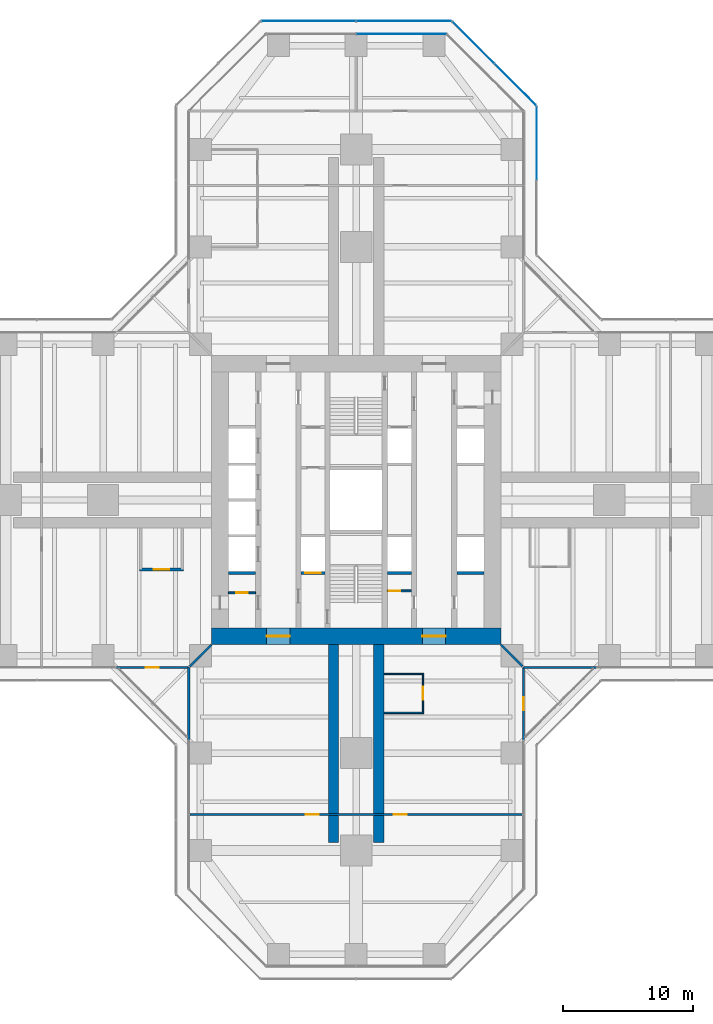
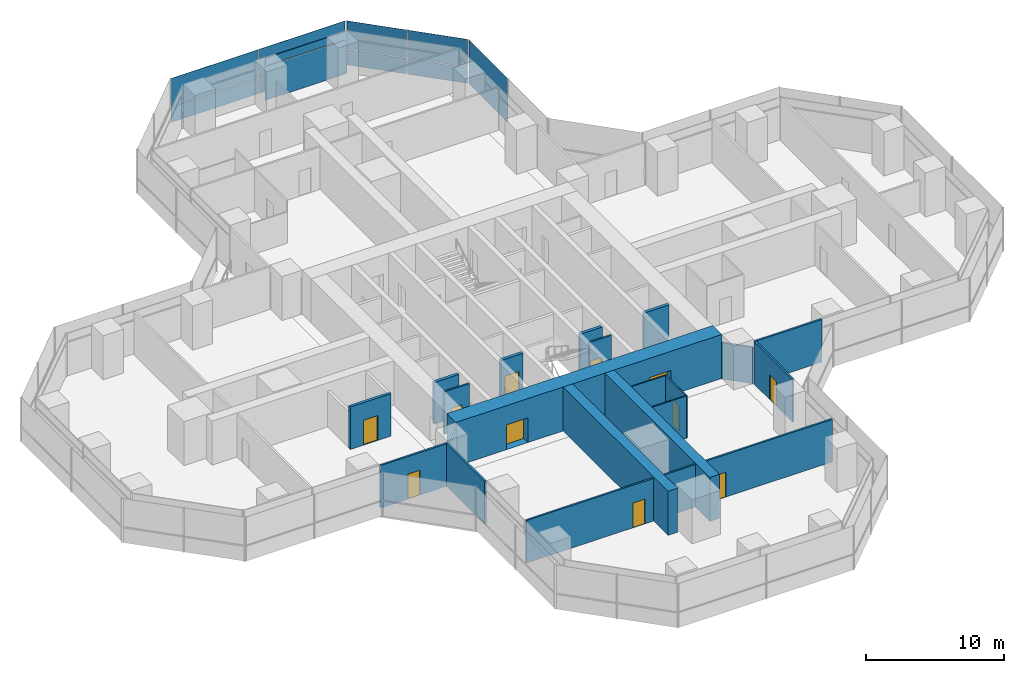
# One storey, part 17 of 22: 20 walls, 12 plates, 11 doors, 11 openings, 4 elements without a shape of their own.
"""IFC4 building model written with IfcOpenShell, lengths in metres."""

from ifc_helpers import new_model, si_unit, direction, frame, frame_2d, origin, origin_2d, place, context, subcontext, project, spatial, rectangle, extrude, material, layer, layer_set, type_object, element, fill, aggregate, save


model = new_model("IFC4")

# Units and contexts
model_context = context("Model", 3, precision=1e-05, world=origin(), true_north=direction((0.0, 1.0)))
body_context = subcontext(model_context, "Body", "Model", "MODEL_VIEW")
ifc_project = project(units=[si_unit("LENGTHUNIT", "METRE"), si_unit("AREAUNIT", "SQUARE_METRE"), si_unit("VOLUMEUNIT", "CUBIC_METRE"), si_unit("PLANEANGLEUNIT", "RADIAN"), si_unit("MASSUNIT", "GRAM", prefix="KILO")], contexts=[model_context])

# Site, building, storey
site_placement = place(None, origin())
site = spatial("IfcSite", under=ifc_project, at=site_placement, CompositionType="ELEMENT")
building_placement = place(site_placement, origin())
building = spatial("IfcBuilding", under=site, at=building_placement, Name="Mizan Broadcast Tower", CompositionType="ELEMENT")
storey_placement = place(building_placement, frame((0.0, 0.0, 105.89990234375)))
storey = spatial("IfcBuildingStorey", under=building, at=storey_placement, Name="L23", CompositionType="ELEMENT", Elevation=105.89990234375)

# Curtain wall, plates
ifc_material_1 = material(Name="Aluminium framed glazing", Category="aluminium")
curtain_wall_type_1 = type_object("IfcCurtainWallType", Name="INNER SKIN LOW ZONE", PredefinedType="USERDEFINED", material=ifc_material_1)
curtain_wall_1_placement = place(storey_placement, origin())
curtain_wall_1 = element("IfcCurtainWall", 1, at=curtain_wall_1_placement, inside=storey, type_object=curtain_wall_type_1, Name="Inner skin low zone L23 N end", ObjectType="INNER SKIN LOW ZONE", PredefinedType="USERDEFINED")
ifc_material_2 = material(Name="Double glazing, clear low-e", Category="glass")
ifc_layer_1 = layer(ifc_material_2, 0.028076171875)
ifc_layer_set_1 = layer_set([ifc_layer_1], Name="Double glazing, clear low-e")
plate_type_1 = type_object("IfcPlateType", Name="INNER SKIN GLAZING UNIT", PredefinedType="CURTAIN_PANEL", material=ifc_layer_set_1)
plate_1_placement = place(storey_placement, frame((3.46435546875, 35.89990234375, 0.0), z_axis=(0.0, 0.0, 1.0), x_axis=(-1.0, 0.0, 0.0)))
plate_1 = element("IfcPlate", 2, at=plate_1_placement, type_object=plate_type_1, Name="Inner skin low zone L23 N end panel 1.1", PredefinedType="CURTAIN_PANEL", context=body_context, shape_type="SweptSolid", body=[
    extrude(rectangle(XDim=6.86865234375, YDim=0.028076171875, at=origin_2d()), origin(), (0.0, 0.0, 1.0), 3.0),
])
ifc_material_3 = material(Name="Insulated aluminium spandrel panel, pale anodised", Category="aluminium")
ifc_layer_2 = layer(ifc_material_3, 0.050048828125)
ifc_layer_set_2 = layer_set([ifc_layer_2], Name="Insulated aluminium spandrel panel, pale anodised")
plate_type_2 = type_object("IfcPlateType", Name="INNER SKIN SPANDREL PANEL", PredefinedType="CURTAIN_PANEL", material=ifc_layer_set_2)
plate_2_placement = place(storey_placement, frame((3.46435546875, 35.89990234375, 3.06005859375), z_axis=(0.0, 0.0, 1.0), x_axis=(-1.0, 0.0, 0.0)))
plate_2 = element("IfcPlate", 3, at=plate_2_placement, type_object=plate_type_2, Name="Inner skin low zone L23 N end panel 1.2", PredefinedType="CURTAIN_PANEL", context=body_context, shape_type="SweptSolid", body=[
    extrude(rectangle(XDim=6.86865234375, YDim=0.050048828125, at=origin_2d()), origin(), (0.0, 0.0, 1.0), 0.7099609375),
])
aggregate(curtain_wall_1, [plate_1, plate_2])

ifc_material_4 = material(Name="Aluminium framed glazing", Category="aluminium")
curtain_wall_type_2 = type_object("IfcCurtainWallType", Name="OUTER SKIN", PredefinedType="USERDEFINED", material=ifc_material_4)
curtain_wall_2_placement = place(storey_placement, origin())
curtain_wall_2 = element("IfcCurtainWall", 4, at=curtain_wall_2_placement, inside=storey, type_object=curtain_wall_type_2, Name="Outer skin L23 N chamfer", ObjectType="OUTER SKIN", PredefinedType="USERDEFINED")
ifc_material_5 = material(Name="Laminated clear glass", Category="glass")
ifc_layer_3 = layer(ifc_material_5, 0.02001953125)
ifc_layer_set_3 = layer_set([ifc_layer_3], Name="Laminated clear glass")
plate_type_3 = type_object("IfcPlateType", Name="OUTER SKIN CLEAR GLASS", PredefinedType="CURTAIN_PANEL", material=ifc_layer_set_3)
plate_3_placement = place(storey_placement, frame((12.254150390625, 32.018798828125, 0.0), z_axis=(0.0, 0.0, 1.0), x_axis=(-0.707106781187, 0.707106781187, 0.0)))
plate_3 = element("IfcPlate", 5, at=plate_3_placement, type_object=plate_type_3, Name="Outer skin L23 N chamfer panel 1.1", PredefinedType="CURTAIN_PANEL", context=body_context, shape_type="SweptSolid", body=[
    extrude(rectangle(XDim=4.495361328125, YDim=0.02001953125, at=origin_2d()), origin(), (0.0, 0.0, 1.0), 1.3701171875),
])
plate_4_placement = place(storey_placement, frame((12.254150390625, 32.018798828125, 1.43017578125), z_axis=(0.0, 0.0, 1.0), x_axis=(-0.707106781187, 0.707106781187, 0.0)))
plate_4 = element("IfcPlate", 6, at=plate_4_placement, type_object=plate_type_3, Name="Outer skin L23 N chamfer panel 1.2", PredefinedType="CURTAIN_PANEL", context=body_context, shape_type="SweptSolid", body=[
    extrude(rectangle(XDim=4.495361328125, YDim=0.02001953125, at=origin_2d()), origin(), (0.0, 0.0, 1.0), 2.469970703125),
])

curtain_wall_3_placement = place(storey_placement, origin())
curtain_wall_3 = element("IfcCurtainWall", 7, at=curtain_wall_3_placement, inside=storey, type_object=curtain_wall_type_2, Name="Outer skin L23 N end", ObjectType="OUTER SKIN", PredefinedType="USERDEFINED")
plate_5_placement = place(storey_placement, frame((3.66650390625, 36.89990234375, 0.0), z_axis=(0.0, 0.0, 1.0), x_axis=(-1.0, 0.0, 0.0)))
plate_5 = element("IfcPlate", 8, at=plate_5_placement, type_object=plate_type_3, Name="Outer skin L23 N end panel 1.1", PredefinedType="CURTAIN_PANEL", context=body_context, shape_type="SweptSolid", body=[
    extrude(rectangle(XDim=7.252685546875, YDim=0.02001953125, at=origin_2d()), origin(), (0.0, 0.0, 1.0), 1.3701171875),
])
plate_6_placement = place(storey_placement, frame((3.66650390625, 36.89990234375, 1.43017578125), z_axis=(0.0, 0.0, 1.0), x_axis=(-1.0, 0.0, 0.0)))
plate_6 = element("IfcPlate", 9, at=plate_6_placement, type_object=plate_type_3, Name="Outer skin L23 N end panel 1.2", PredefinedType="CURTAIN_PANEL", context=body_context, shape_type="SweptSolid", body=[
    extrude(rectangle(XDim=7.252685546875, YDim=0.02001953125, at=origin_2d()), origin(), (0.0, 0.0, 1.0), 2.469970703125),
])
plate_7_placement = place(storey_placement, frame((-3.66650390625, 36.89990234375, 0.0), z_axis=(0.0, 0.0, 1.0), x_axis=(-1.0, 0.0, 0.0)))
plate_7 = element("IfcPlate", 10, at=plate_7_placement, type_object=plate_type_3, Name="Outer skin L23 N end panel 2.1", PredefinedType="CURTAIN_PANEL", context=body_context, shape_type="SweptSolid", body=[
    extrude(rectangle(XDim=7.252685546875, YDim=0.02001953125, at=origin_2d()), origin(), (0.0, 0.0, 1.0), 1.3701171875),
])
plate_8_placement = place(storey_placement, frame((-3.66650390625, 36.89990234375, 1.43017578125), z_axis=(0.0, 0.0, 1.0), x_axis=(-1.0, 0.0, 0.0)))
plate_8 = element("IfcPlate", 11, at=plate_8_placement, type_object=plate_type_3, Name="Outer skin L23 N end panel 2.2", PredefinedType="CURTAIN_PANEL", context=body_context, shape_type="SweptSolid", body=[
    extrude(rectangle(XDim=7.252685546875, YDim=0.02001953125, at=origin_2d()), origin(), (0.0, 0.0, 1.0), 2.469970703125),
])
aggregate(curtain_wall_3, [plate_5, plate_6, plate_7, plate_8])

curtain_wall_4_placement = place(storey_placement, origin())
curtain_wall_4 = element("IfcCurtainWall", 12, at=curtain_wall_4_placement, inside=storey, type_object=curtain_wall_type_2, Name="Outer skin L23 N side", ObjectType="OUTER SKIN", PredefinedType="USERDEFINED")
ifc_material_6 = material(Name="Perforated aluminium, pale anodised", Category="aluminium")
ifc_layer_4 = layer(ifc_material_6, 0.011962890625)
ifc_layer_set_4 = layer_set([ifc_layer_4], Name="Perforated aluminium, pale anodised")
plate_type_4 = type_object("IfcPlateType", Name="OUTER SKIN PERFORATED SCREEN", PredefinedType="USERDEFINED", material=ifc_layer_set_4)
plate_9_placement = place(storey_placement, frame((13.89990234375, 27.477783203125, 0.0), z_axis=(0.0, 0.0, 1.0), x_axis=(0.0, 1.0, 0.0)))
plate_9 = element("IfcPlate", 13, at=plate_9_placement, type_object=plate_type_4, Name="Outer skin L23 N side panel 2.1", ObjectType="SCREEN", PredefinedType="USERDEFINED", context=body_context, shape_type="SweptSolid", body=[
    extrude(rectangle(XDim=5.6298828125, YDim=0.011962890625, at=origin_2d()), origin(), (0.0, 0.0, 1.0), 1.3701171875),
])
plate_10_placement = place(storey_placement, frame((13.89990234375, 27.477783203125, 1.43017578125), z_axis=(0.0, 0.0, 1.0), x_axis=(0.0, 1.0, 0.0)))
plate_10 = element("IfcPlate", 14, at=plate_10_placement, type_object=plate_type_4, Name="Outer skin L23 N side panel 2.2", ObjectType="SCREEN", PredefinedType="USERDEFINED", context=body_context, shape_type="SweptSolid", body=[
    extrude(rectangle(XDim=5.6298828125, YDim=0.011962890625, at=origin_2d()), origin(), (0.0, 0.0, 1.0), 2.469970703125),
])
aggregate(curtain_wall_4, [plate_9, plate_10])

# Plate
plate_11_placement = place(storey_placement, frame((9.018798828125, 35.254150390625, 0.0), z_axis=(0.0, 0.0, 1.0), x_axis=(-0.707106781187, 0.707106781187, 0.0)))
plate_11 = element("IfcPlate", 15, at=plate_11_placement, type_object=plate_type_4, Name="Outer skin L23 N chamfer panel 2.1", ObjectType="SCREEN", PredefinedType="USERDEFINED", context=body_context, shape_type="SweptSolid", body=[
    extrude(rectangle(XDim=4.495361328125, YDim=0.011962890625, at=origin_2d()), origin(), (0.0, 0.0, 1.0), 1.3701171875),
])

plate_12_placement = place(storey_placement, frame((9.018798828125, 35.254150390625, 1.43017578125), z_axis=(0.0, 0.0, 1.0), x_axis=(-0.707106781187, 0.707106781187, 0.0)))
plate_12 = element("IfcPlate", 16, at=plate_12_placement, type_object=plate_type_4, Name="Outer skin L23 N chamfer panel 2.2", ObjectType="SCREEN", PredefinedType="USERDEFINED", context=body_context, shape_type="SweptSolid", body=[
    extrude(rectangle(XDim=4.495361328125, YDim=0.011962890625, at=origin_2d()), origin(), (0.0, 0.0, 1.0), 2.469970703125),
])

aggregate(curtain_wall_2, [plate_3, plate_4, plate_11, plate_12])

# Wall, opening, door
ifc_material_7 = material(Name="Concrete blockwork", Category="masonry")
ifc_layer_5 = layer(ifc_material_7, 0.14990234375)
ifc_layer_set_5 = layer_set([ifc_layer_5], Name="Concrete blockwork")
wall_type_1 = type_object("IfcWallType", Name="CORE PARTITION 150", PredefinedType="SOLIDWALL", material=ifc_layer_set_5)
wall_1_placement = place(storey_placement, frame((2.39990234375, -7.0, 0.0), z_axis=(0.0, 0.0, 1.0), x_axis=(1.0, 0.0, 0.0)))
wall_1 = element("IfcWall", 17, at=wall_1_placement, inside=storey, type_object=wall_type_1, Name="Core partition CORE/XPC", PredefinedType="SOLIDWALL", context=body_context, shape_type="SweptSolid", body=[
    extrude(rectangle(XDim=1.85009765625, YDim=0.14990234375, at=frame_2d((0.925048828125, 0.0))), origin(), (0.0, 0.0, 1.0), 3.77001953125),
])
opening_1_placement = place(wall_1_placement, frame((0.10009765625, 0.0, 0.0)))
opening_1 = element("IfcOpeningElement", 18, at=opening_1_placement, cuts=wall_1, Name="Opening D09F", PredefinedType="OPENING", context=body_context, shape_type="SweptSolid", body=[
    extrude(rectangle(XDim=0.89990234375, YDim=2.10009765625, at=frame_2d((0.449951171875, 1.050048828125))), frame((0.0, 0.0849609375, 0.0), z_axis=(0.0, -1.0, 0.0), x_axis=(1.0, 0.0, 0.0)), (0.0, 0.0, 1.0), 0.169921875),
])
ifc_material_8 = material(Name="Steel door leaf in steel frame", Category="steel")
door_type_1 = type_object("IfcDoorType", Name="CORE ROOM DOOR 900 FD90", OperationType="SINGLE_SWING_LEFT", PredefinedType="DOOR", material=ifc_material_8)
door_1_placement = place(opening_1_placement, origin())
door_1 = element("IfcDoor", 19, at=door_1_placement, inside=storey, type_object=door_type_1, Name="Cleaning materials store door", OperationType="SINGLE_SWING_LEFT", OverallHeight=2.10009765625, OverallWidth=0.89990234375, PredefinedType="DOOR", context=body_context, shape_type="SweptSolid", body=[
    extrude(rectangle(XDim=0.89990234375, YDim=2.10009765625, at=frame_2d((0.449951171875, 1.050048828125))), frame((0.0, 0.02490234375, 0.0), z_axis=(0.0, -1.0, 0.0), x_axis=(1.0, 0.0, 0.0)), (0.0, 0.0, 1.0), 0.050048828125),
])
fill(opening_1, door_1)

wall_2_placement = place(storey_placement, frame((-9.85009765625, -7.14990234375, 0.0), z_axis=(0.0, 0.0, 1.0), x_axis=(1.0, 0.0, 0.0)))
wall_2 = element("IfcWall", 20, at=wall_2_placement, inside=storey, type_object=wall_type_1, Name="Core partition CORE/XPW", PredefinedType="SOLIDWALL", context=body_context, shape_type="SweptSolid", body=[
    extrude(rectangle(XDim=2.10009765625, YDim=0.14990234375, at=frame_2d((1.050048828125, 0.0))), origin(), (0.0, 0.0, 1.0), 3.77001953125),
])
opening_2_placement = place(wall_2_placement, frame((0.60009765625, 0.0, 0.0)))
opening_2 = element("IfcOpeningElement", 21, at=opening_2_placement, cuts=wall_2, Name="Opening D09F", PredefinedType="OPENING", context=body_context, shape_type="SweptSolid", body=[
    extrude(rectangle(XDim=0.89990234375, YDim=2.10009765625, at=frame_2d((0.449951171875, 1.050048828125))), frame((0.0, 0.0849609375, 0.0), z_axis=(0.0, -1.0, 0.0), x_axis=(1.0, 0.0, 0.0)), (0.0, 0.0, 1.0), 0.169921875),
])
door_2_placement = place(opening_2_placement, origin())
door_2 = element("IfcDoor", 22, at=door_2_placement, inside=storey, type_object=door_type_1, Name="Fire hose reel cupboard door", OperationType="SINGLE_SWING_RIGHT", OverallHeight=2.10009765625, OverallWidth=0.89990234375, PredefinedType="DOOR", context=body_context, shape_type="SweptSolid", body=[
    extrude(rectangle(XDim=0.89990234375, YDim=2.10009765625, at=frame_2d((0.449951171875, 1.050048828125))), frame((0.0, 0.02490234375, 0.0), z_axis=(0.0, -1.0, 0.0), x_axis=(1.0, 0.0, 0.0)), (0.0, 0.0, 1.0), 0.050048828125),
])
fill(opening_2, door_2)

# Wall, openings, doors
ifc_material_9 = material(Name="Concrete C70/85", Category="concrete")
ifc_layer_6 = layer(ifc_material_9, 1.300048828125)
ifc_layer_set_6 = layer_set([ifc_layer_6], Name="Concrete C70/85")
wall_type_2 = type_object("IfcWallType", Name="CORE WALL 1300", PredefinedType="SHEAR", material=ifc_layer_set_6)
wall_3_placement = place(storey_placement, frame((11.14990234375, -10.5, 0.0), z_axis=(0.0, 0.0, 1.0), x_axis=(-1.0, 0.0, 0.0)))
wall_3 = element("IfcWall", 23, at=wall_3_placement, inside=storey, type_object=wall_type_2, Name="Core wall S L23", PredefinedType="SHEAR", context=body_context, shape_type="SweptSolid", body=[
    extrude(rectangle(XDim=22.2998046875, YDim=1.300048828125, at=frame_2d((11.14990234375, 0.0))), origin(), (0.0, 0.0, 1.0), 3.900146484375),
])
opening_3_placement = place(wall_3_placement, frame((16.25, 0.0, 0.0)))
opening_3 = element("IfcOpeningElement", 24, at=opening_3_placement, cuts=wall_3, Name="Opening D18F", PredefinedType="OPENING", context=body_context, shape_type="SweptSolid", body=[
    extrude(rectangle(XDim=1.800048828125, YDim=2.199951171875, at=frame_2d((0.89990234375, 1.10009765625))), frame((0.0, 0.659912109375, 0.0), z_axis=(0.0, -1.0, 0.0), x_axis=(1.0, 0.0, 0.0)), (0.0, 0.0, 1.0), 1.320068359375),
])
opening_4_placement = place(wall_3_placement, frame((4.25, 0.0, 0.0)))
opening_4 = element("IfcOpeningElement", 25, at=opening_4_placement, cuts=wall_3, Name="Opening D18F", PredefinedType="OPENING", context=body_context, shape_type="SweptSolid", body=[
    extrude(rectangle(XDim=1.800048828125, YDim=2.199951171875, at=frame_2d((0.89990234375, 1.10009765625))), frame((0.0, 0.659912109375, 0.0), z_axis=(0.0, -1.0, 0.0), x_axis=(1.0, 0.0, 0.0)), (0.0, 0.0, 1.0), 1.320068359375),
])
ifc_material_10 = material(Name="Steel door leaf in steel frame", Category="steel")
door_type_2 = type_object("IfcDoorType", Name="LOBBY DOUBLE DOOR 1800 FD90", OperationType="DOUBLE_DOOR_DOUBLE_SWING", PredefinedType="DOOR", material=ifc_material_10)
door_3_placement = place(opening_3_placement, origin())
door_3 = element("IfcDoor", 26, at=door_3_placement, inside=storey, type_object=door_type_2, Name="West lift lobby south door", OperationType="DOUBLE_DOOR_DOUBLE_SWING", OverallHeight=2.199951171875, OverallWidth=1.800048828125, PredefinedType="DOOR", context=body_context, shape_type="SweptSolid", body=[
    extrude(rectangle(XDim=1.800048828125, YDim=2.199951171875, at=frame_2d((0.89990234375, 1.10009765625))), frame((0.0, 0.02490234375, 0.0), z_axis=(0.0, -1.0, 0.0), x_axis=(1.0, 0.0, 0.0)), (0.0, 0.0, 1.0), 0.050048828125),
])
fill(opening_3, door_3)
door_4_placement = place(opening_4_placement, origin())
door_4 = element("IfcDoor", 27, at=door_4_placement, inside=storey, type_object=door_type_2, Name="East lift lobby south door", OperationType="DOUBLE_DOOR_DOUBLE_SWING", OverallHeight=2.199951171875, OverallWidth=1.800048828125, PredefinedType="DOOR", context=body_context, shape_type="SweptSolid", body=[
    extrude(rectangle(XDim=1.800048828125, YDim=2.199951171875, at=frame_2d((0.89990234375, 1.10009765625))), frame((0.0, 0.02490234375, 0.0), z_axis=(0.0, -1.0, 0.0), x_axis=(1.0, 0.0, 0.0)), (0.0, 0.0, 1.0), 0.050048828125),
])
fill(opening_4, door_4)

# Wall
ifc_material_11 = material(Name="Aluminium framed glazed screen", Category="aluminium")
ifc_layer_7 = layer(ifc_material_11, 0.159912109375)
ifc_layer_set_7 = layer_set([ifc_layer_7], Name="Aluminium framed glazed screen")
wall_type_3 = type_object("IfcWallType", Name="GLAZED SCREEN WALL 160", PredefinedType="SOLIDWALL", material=ifc_layer_set_7)
wall_4_placement = place(storey_placement, frame((12.89990234375, -12.89990234375, 0.0), z_axis=(0.0, 0.0, 1.0), x_axis=(1.0, 0.0, 0.0)))
element("IfcWall", 28, at=wall_4_placement, inside=storey, type_object=wall_type_3, Name="Winter garden screen L23 E", PredefinedType="SOLIDWALL", context=body_context, shape_type="SweptSolid", body=[
    extrude(rectangle(XDim=5.60009765625, YDim=0.159912109375, at=frame_2d((2.800048828125, 0.0))), origin(), (0.0, 0.0, 1.0), 3.77001953125),
])

# Wall, opening, door
wall_5_placement = place(storey_placement, frame((-18.5, -12.89990234375, 0.0), z_axis=(0.0, 0.0, 1.0), x_axis=(1.0, 0.0, 0.0)))
wall_5 = element("IfcWall", 29, at=wall_5_placement, inside=storey, type_object=wall_type_3, Name="Winter garden screen L23 W", PredefinedType="SOLIDWALL", context=body_context, shape_type="SweptSolid", body=[
    extrude(rectangle(XDim=5.60009765625, YDim=0.159912109375, at=frame_2d((2.800048828125, 0.0))), origin(), (0.0, 0.0, 1.0), 3.77001953125),
])
opening_5_placement = place(wall_5_placement, frame((2.300048828125, 0.0, 0.0)))
opening_5 = element("IfcOpeningElement", 30, at=opening_5_placement, cuts=wall_5, Name="Opening WGD", PredefinedType="OPENING", context=body_context, shape_type="SweptSolid", body=[
    extrude(rectangle(XDim=1.0, YDim=2.199951171875, at=frame_2d((0.5, 1.10009765625))), frame((0.0, 0.08984375, 0.0), z_axis=(0.0, -1.0, 0.0), x_axis=(1.0, 0.0, 0.0)), (0.0, 0.0, 1.0), 0.179931640625),
])
ifc_material_12 = material(Name="Aluminium framed glazed door", Category="aluminium")
door_type_3 = type_object("IfcDoorType", Name="WINTER GARDEN DOOR 1000 GLAZED", OperationType="SINGLE_SWING_LEFT", PredefinedType="DOOR", material=ifc_material_12)
door_5_placement = place(opening_5_placement, origin())
door_5 = element("IfcDoor", 31, at=door_5_placement, inside=storey, type_object=door_type_3, Name="Winter garden door L23 W", OperationType="SINGLE_SWING_RIGHT", OverallHeight=2.199951171875, OverallWidth=1.0, PredefinedType="DOOR", context=body_context, shape_type="SweptSolid", body=[
    extrude(rectangle(XDim=1.0, YDim=2.199951171875, at=frame_2d((0.5, 1.10009765625))), frame((0.0, 0.02490234375, 0.0), z_axis=(0.0, -1.0, 0.0), x_axis=(1.0, 0.0, 0.0)), (0.0, 0.0, 1.0), 0.050048828125),
])
fill(opening_5, door_5)

# Wall
wall_6_placement = place(storey_placement, frame((-12.89990234375, -12.89990234375, 0.0), z_axis=(0.0, 0.0, 1.0), x_axis=(0.0, -1.0, 0.0)))
element("IfcWall", 32, at=wall_6_placement, inside=storey, type_object=wall_type_3, Name="Winter garden screen L23 S", PredefinedType="SOLIDWALL", context=body_context, shape_type="SweptSolid", body=[
    extrude(rectangle(XDim=5.60009765625, YDim=0.159912109375, at=frame_2d((2.800048828125, 0.0))), origin(), (0.0, 0.0, 1.0), 3.77001953125),
])

# Wall, opening, door
wall_7_placement = place(storey_placement, frame((12.89990234375, -18.5, 0.0), z_axis=(0.0, 0.0, 1.0), x_axis=(0.0, 1.0, 0.0)))
wall_7 = element("IfcWall", 33, at=wall_7_placement, inside=storey, type_object=wall_type_3, Name="Winter garden screen L23 S", PredefinedType="SOLIDWALL", context=body_context, shape_type="SweptSolid", body=[
    extrude(rectangle(XDim=5.60009765625, YDim=0.159912109375, at=frame_2d((2.800048828125, 0.0))), origin(), (0.0, 0.0, 1.0), 3.77001953125),
])
opening_6_placement = place(wall_7_placement, frame((2.300048828125, 0.0, 0.0)))
opening_6 = element("IfcOpeningElement", 34, at=opening_6_placement, cuts=wall_7, Name="Opening WGD", PredefinedType="OPENING", context=body_context, shape_type="SweptSolid", body=[
    extrude(rectangle(XDim=1.0, YDim=2.199951171875, at=frame_2d((0.5, 1.10009765625))), frame((0.0, 0.08984375, 0.0), z_axis=(0.0, -1.0, 0.0), x_axis=(1.0, 0.0, 0.0)), (0.0, 0.0, 1.0), 0.179931640625),
])
door_6_placement = place(opening_6_placement, origin())
door_6 = element("IfcDoor", 35, at=door_6_placement, inside=storey, type_object=door_type_3, Name="Winter garden door L23 S", OperationType="SINGLE_SWING_RIGHT", OverallHeight=2.199951171875, OverallWidth=1.0, PredefinedType="DOOR", context=body_context, shape_type="SweptSolid", body=[
    extrude(rectangle(XDim=1.0, YDim=2.199951171875, at=frame_2d((0.5, 1.10009765625))), frame((0.0, 0.02490234375, 0.0), z_axis=(0.0, -1.0, 0.0), x_axis=(1.0, 0.0, 0.0)), (0.0, 0.0, 1.0), 0.050048828125),
])
fill(opening_6, door_6)

# Wall
ifc_material_13 = material(Name="Concrete blockwork", Category="masonry")
ifc_layer_8 = layer(ifc_material_13, 0.25)
ifc_layer_set_8 = layer_set([ifc_layer_8], Name="Concrete blockwork")
wall_type_4 = type_object("IfcWallType", Name="LOBBY ENCLOSURE WALL 250", PredefinedType="SOLIDWALL", material=ifc_layer_set_8)
wall_8_placement = place(storey_placement, frame((-9.85009765625, -5.625, 0.0), z_axis=(0.0, 0.0, 1.0), x_axis=(1.0, 0.0, 0.0)))
element("IfcWall", 36, at=wall_8_placement, inside=storey, type_object=wall_type_4, Name="Lobby enclosure wall CORE/BW1S", PredefinedType="SOLIDWALL", context=body_context, shape_type="SweptSolid", body=[
    extrude(rectangle(XDim=2.10009765625, YDim=0.25, at=frame_2d((1.050048828125, 0.0))), origin(), (0.0, 0.0, 1.0), 3.7001953125),
])

# Wall, opening, door
wall_9_placement = place(storey_placement, frame((-4.25, -5.625, 0.0), z_axis=(0.0, 0.0, 1.0), x_axis=(1.0, 0.0, 0.0)))
wall_9 = element("IfcWall", 37, at=wall_9_placement, inside=storey, type_object=wall_type_4, Name="Lobby enclosure wall CORE/BW2S", PredefinedType="SOLIDWALL", context=body_context, shape_type="SweptSolid", body=[
    extrude(rectangle(XDim=1.85009765625, YDim=0.25, at=frame_2d((0.925048828125, 0.0))), origin(), (0.0, 0.0, 1.0), 3.7001953125),
])
opening_7_placement = place(wall_9_placement, frame((0.324951171875, 0.0, 0.0)))
opening_7 = element("IfcOpeningElement", 38, at=opening_7_placement, cuts=wall_9, Name="Opening LDF", PredefinedType="OPENING", context=body_context, shape_type="SweptSolid", body=[
    extrude(rectangle(XDim=1.199951171875, YDim=2.199951171875, at=frame_2d((0.60009765625, 1.10009765625))), frame((0.0, 0.135009765625, 0.0), z_axis=(0.0, -1.0, 0.0), x_axis=(1.0, 0.0, 0.0)), (0.0, 0.0, 1.0), 0.27001953125),
])
ifc_material_14 = material(Name="Steel door leaf in steel frame", Category="steel")
door_type_4 = type_object("IfcDoorType", Name="FIREFIGHTING LIFT LANDING DOOR 1200", OperationType="SLIDING_TO_LEFT", PredefinedType="DOOR", material=ifc_material_14)
door_7_placement = place(opening_7_placement, origin())
door_7 = element("IfcDoor", 39, at=door_7_placement, inside=storey, type_object=door_type_4, Name="Landing door FF1", OperationType="SLIDING_TO_LEFT", OverallHeight=2.199951171875, OverallWidth=1.199951171875, PredefinedType="DOOR", context=body_context, shape_type="SweptSolid", body=[
    extrude(rectangle(XDim=1.199951171875, YDim=2.199951171875, at=frame_2d((0.60009765625, 1.10009765625))), frame((0.0, 0.02490234375, 0.0), z_axis=(0.0, -1.0, 0.0), x_axis=(1.0, 0.0, 0.0)), (0.0, 0.0, 1.0), 0.050048828125),
])
fill(opening_7, door_7)

# Walls
wall_10_placement = place(storey_placement, frame((2.39990234375, -5.625, 0.0), z_axis=(0.0, 0.0, 1.0), x_axis=(1.0, 0.0, 0.0)))
element("IfcWall", 40, at=wall_10_placement, inside=storey, type_object=wall_type_4, Name="Lobby enclosure wall CORE/BE2S", PredefinedType="SOLIDWALL", context=body_context, shape_type="SweptSolid", body=[
    extrude(rectangle(XDim=1.85009765625, YDim=0.25, at=frame_2d((0.925048828125, 0.0))), origin(), (0.0, 0.0, 1.0), 3.7001953125),
])
wall_11_placement = place(storey_placement, frame((7.75, -5.625, 0.0), z_axis=(0.0, 0.0, 1.0), x_axis=(1.0, 0.0, 0.0)))
element("IfcWall", 41, at=wall_11_placement, inside=storey, type_object=wall_type_4, Name="Lobby enclosure wall CORE/BE1S", PredefinedType="SOLIDWALL", context=body_context, shape_type="SweptSolid", body=[
    extrude(rectangle(XDim=2.10009765625, YDim=0.25, at=frame_2d((1.050048828125, 0.0))), origin(), (0.0, 0.0, 1.0), 3.7001953125),
])

# Wall, openings, doors
ifc_material_15 = material(Name="Gypsum board on steel studs", Category="steel")
ifc_layer_9 = layer(ifc_material_15, 0.14990234375)
ifc_layer_set_9 = layer_set([ifc_layer_9], Name="Gypsum board on steel studs")
wall_type_5 = type_object("IfcWallType", Name="PARTITION 150", PredefinedType="PARTITIONING", material=ifc_layer_set_9)
wall_12_placement = place(storey_placement, frame((-12.820068359375, -24.22900390625, 0.0), z_axis=(0.0, 0.0, 1.0), x_axis=(1.0, 0.0, 0.0)))
wall_12 = element("IfcWall", 42, at=wall_12_placement, inside=storey, type_object=wall_type_5, Name="Partition PT/SX1", PredefinedType="PARTITIONING", context=body_context, shape_type="SweptSolid", body=[
    extrude(rectangle(XDim=25.64013671875, YDim=0.14990234375, at=frame_2d((12.820068359375, 0.0))), origin(), (0.0, 0.0, 1.0), 3.77001953125),
])
opening_8_placement = place(wall_12_placement, frame((15.719970703125, 0.0, 0.0)))
opening_8 = element("IfcOpeningElement", 43, at=opening_8_placement, cuts=wall_12, Name="Opening D10", PredefinedType="OPENING", context=body_context, shape_type="SweptSolid", body=[
    extrude(rectangle(XDim=1.0, YDim=2.199951171875, at=frame_2d((0.5, 1.10009765625))), frame((0.0, 0.0849609375, 0.0), z_axis=(0.0, -1.0, 0.0), x_axis=(1.0, 0.0, 0.0)), (0.0, 0.0, 1.0), 0.169921875),
])
opening_9_placement = place(wall_12_placement, frame((8.919921875, 0.0, 0.0)))
opening_9 = element("IfcOpeningElement", 44, at=opening_9_placement, cuts=wall_12, Name="Opening D10", PredefinedType="OPENING", context=body_context, shape_type="SweptSolid", body=[
    extrude(rectangle(XDim=1.0, YDim=2.199951171875, at=frame_2d((0.5, 1.10009765625))), frame((0.0, 0.0849609375, 0.0), z_axis=(0.0, -1.0, 0.0), x_axis=(1.0, 0.0, 0.0)), (0.0, 0.0, 1.0), 0.169921875),
])
ifc_material_16 = material(Name="Timber door leaf in aluminium frame", Category="wood")
door_type_5 = type_object("IfcDoorType", Name="ROOM DOOR 1000", OperationType="SINGLE_SWING_LEFT", PredefinedType="DOOR", material=ifc_material_16)
door_8_placement = place(opening_8_placement, origin())
door_8 = element("IfcDoor", 45, at=door_8_placement, inside=storey, type_object=door_type_5, Name="Library door", OperationType="SINGLE_SWING_RIGHT", OverallHeight=2.199951171875, OverallWidth=1.0, PredefinedType="DOOR", context=body_context, shape_type="SweptSolid", body=[
    extrude(rectangle(XDim=1.0, YDim=2.199951171875, at=frame_2d((0.5, 1.10009765625))), frame((0.0, 0.02490234375, 0.0), z_axis=(0.0, -1.0, 0.0), x_axis=(1.0, 0.0, 0.0)), (0.0, 0.0, 1.0), 0.050048828125),
])
fill(opening_8, door_8)
door_9_placement = place(opening_9_placement, origin())
door_9 = element("IfcDoor", 46, at=door_9_placement, inside=storey, type_object=door_type_5, Name="Library door", OperationType="SINGLE_SWING_LEFT", OverallHeight=2.199951171875, OverallWidth=1.0, PredefinedType="DOOR", context=body_context, shape_type="SweptSolid", body=[
    extrude(rectangle(XDim=1.0, YDim=2.199951171875, at=frame_2d((0.5, 1.10009765625))), frame((0.0, 0.02490234375, 0.0), z_axis=(0.0, -1.0, 0.0), x_axis=(1.0, 0.0, 0.0)), (0.0, 0.0, 1.0), 0.050048828125),
])
fill(opening_9, door_9)

# Walls
for number, where, z_axis, x_axis, name in (
    (47, (-11.14990234375, -11.14990234375, 0.0), (0.0, 0.0, 1.0), (-0.707106781187, -0.707106781187, 0.0), "Partition PT/DGWS"),
    (48, (11.14990234375, -11.14990234375, 0.0), (0.0, 0.0, 1.0), (0.707106781187, -0.707106781187, 0.0), "Partition PT/DGES"),
):
    element("IfcWall", number, at=place(storey_placement, frame(where, z_axis=z_axis, x_axis=x_axis)), inside=storey, type_object=wall_type_5, Name=name, PredefinedType="PARTITIONING", context=body_context, shape_type="SweptSolid", body=[
        extrude(rectangle(XDim=2.362060546875, YDim=0.14990234375, at=frame_2d((1.18115234375, 0.0))), origin(), (0.0, 0.0, 1.0), 3.22021484375),
    ])

# Wall, opening, door
ifc_material_17 = material(Name="Twin steel stud acoustic partition, four layers of gypsum board", Category="steel")
ifc_layer_10 = layer(ifc_material_17, 0.22509765625)
ifc_layer_set_10 = layer_set([ifc_layer_10], Name="Twin steel stud acoustic partition, four layers of gypsum board")
wall_type_6 = type_object("IfcWallType", Name="PARTITION ACOUSTIC 225", PredefinedType="PARTITIONING", material=ifc_layer_set_10)
wall_13_placement = place(storey_placement, frame((-13.28759765625, -5.35009765625, 0.0), z_axis=(0.0, 0.0, 1.0), x_axis=(-1.0, 0.0, 0.0)))
wall_13 = element("IfcWall", 49, at=wall_13_placement, inside=storey, type_object=wall_type_6, Name="Acoustic partition PT/WKP0f", PredefinedType="PARTITIONING", context=body_context, shape_type="SweptSolid", body=[
    extrude(rectangle(XDim=3.4248046875, YDim=0.22509765625, at=frame_2d((1.71240234375, 0.0))), origin(), (0.0, 0.0, 1.0), 3.77001953125),
])
opening_10_placement = place(wall_13_placement, frame((1.112548828125, 0.0, 0.0)))
opening_10 = element("IfcOpeningElement", 50, at=opening_10_placement, cuts=wall_13, Name="Opening D12A", PredefinedType="OPENING", context=body_context, shape_type="SweptSolid", body=[
    extrude(rectangle(XDim=1.199951171875, YDim=2.199951171875, at=frame_2d((0.60009765625, 1.10009765625))), frame((0.0, 0.12255859375, 0.0), z_axis=(0.0, -1.0, 0.0), x_axis=(1.0, 0.0, 0.0)), (0.0, 0.0, 1.0), 0.2451171875),
])
ifc_material_18 = material(Name="Timber door leaf in aluminium frame", Category="wood")
door_type_6 = type_object("IfcDoorType", Name="ACOUSTIC DOOR 1200", OperationType="SINGLE_SWING_LEFT", PredefinedType="DOOR", material=ifc_material_18)
door_10_placement = place(opening_10_placement, origin())
door_10 = element("IfcDoor", 51, at=door_10_placement, inside=storey, type_object=door_type_6, Name="Recording booth door", OperationType="SINGLE_SWING_LEFT", OverallHeight=2.199951171875, OverallWidth=1.199951171875, PredefinedType="DOOR", context=body_context, shape_type="SweptSolid", body=[
    extrude(rectangle(XDim=1.199951171875, YDim=2.199951171875, at=frame_2d((0.60009765625, 1.10009765625))), frame((0.0, 0.02490234375, 0.0), z_axis=(0.0, -1.0, 0.0), x_axis=(1.0, 0.0, 0.0)), (0.0, 0.0, 1.0), 0.050048828125),
])
fill(opening_10, door_10)

# Walls
ifc_material_19 = material(Name="Glazed aluminium partition on aluminium track", Category="aluminium")
ifc_layer_11 = layer(ifc_material_19, 0.10009765625)
ifc_layer_set_11 = layer_set([ifc_layer_11], Name="Glazed aluminium partition on aluminium track")
wall_type_7 = type_object("IfcWallType", Name="PARTITION GLAZED OFFICE FRONT 100", PredefinedType="PARTITIONING", material=ifc_layer_set_11)
for number, where, z_axis, x_axis, name in (
    (52, (2.14990234375, -13.39990234375, 0.0), (0.0, 0.0, 1.0), (1.0, 0.0, 0.0), "Glazed office front PT/SKP0a"),
    (53, (2.14990234375, -16.39990234375, 0.0), (0.0, 0.0, 1.0), (1.0, 0.0, 0.0), "Glazed office front PT/SKP0b"),
):
    element("IfcWall", number, at=place(storey_placement, frame(where, z_axis=z_axis, x_axis=x_axis)), inside=storey, type_object=wall_type_7, Name=name, PredefinedType="PARTITIONING", context=body_context, shape_type="SweptSolid", body=[
        extrude(rectangle(XDim=3.0, YDim=0.10009765625, at=frame_2d((1.5, 0.0))), origin(), (0.0, 0.0, 1.0), 3.77001953125),
    ])

# Wall, opening, door
wall_14_placement = place(storey_placement, frame((5.14990234375, -13.35009765625, 0.0), z_axis=(0.0, 0.0, 1.0), x_axis=(0.0, -1.0, 0.0)))
wall_14 = element("IfcWall", 54, at=wall_14_placement, inside=storey, type_object=wall_type_7, Name="Glazed office front PT/SKP0f", PredefinedType="PARTITIONING", context=body_context, shape_type="SweptSolid", body=[
    extrude(rectangle(XDim=3.099853515625, YDim=0.10009765625, at=frame_2d((1.5498046875, 0.0))), origin(), (0.0, 0.0, 1.0), 3.77001953125),
])
opening_11_placement = place(wall_14_placement, frame((1.050048828125, 0.0, 0.0)))
opening_11 = element("IfcOpeningElement", 55, at=opening_11_placement, cuts=wall_14, Name="Opening D10O", PredefinedType="OPENING", context=body_context, shape_type="SweptSolid", body=[
    extrude(rectangle(XDim=1.0, YDim=2.199951171875, at=frame_2d((0.5, 1.10009765625))), frame((0.0, 0.06005859375, 0.0), z_axis=(0.0, -1.0, 0.0), x_axis=(1.0, 0.0, 0.0)), (0.0, 0.0, 1.0), 0.1201171875),
])
ifc_material_20 = material(Name="Timber door leaf in aluminium frame", Category="wood")
door_type_7 = type_object("IfcDoorType", Name="OFFICE DOOR 1000 GLAZED", OperationType="SINGLE_SWING_LEFT", PredefinedType="DOOR", material=ifc_material_20)
door_11_placement = place(opening_11_placement, origin())
door_11 = element("IfcDoor", 56, at=door_11_placement, inside=storey, type_object=door_type_7, Name="Pantry door", OperationType="SINGLE_SWING_LEFT", OverallHeight=2.199951171875, OverallWidth=1.0, PredefinedType="DOOR", context=body_context, shape_type="SweptSolid", body=[
    extrude(rectangle(XDim=1.0, YDim=2.199951171875, at=frame_2d((0.5, 1.10009765625))), frame((0.0, 0.02490234375, 0.0), z_axis=(0.0, -1.0, 0.0), x_axis=(1.0, 0.0, 0.0)), (0.0, 0.0, 1.0), 0.050048828125),
])
fill(opening_11, door_11)

# Walls
ifc_material_21 = material(Name="Concrete C70/85", Category="concrete")
ifc_layer_12 = layer(ifc_material_21, 0.800048828125)
ifc_layer_set_12 = layer_set([ifc_layer_12], Name="Concrete C70/85")
wall_type_8 = type_object("IfcWallType", Name="SPINE WALL 800", PredefinedType="SHEAR", material=ifc_layer_set_12)
for number, where, z_axis, x_axis, name in (
    (57, (-1.75, -11.14990234375, 0.0), (0.0, 0.0, 1.0), (0.0, -1.0, 0.0), "Spine wall SR L23"),
    (58, (1.75, -11.14990234375, 0.0), (0.0, 0.0, 1.0), (0.0, -1.0, 0.0), "Spine wall SL L23"),
):
    element("IfcWall", number, at=place(storey_placement, frame(where, z_axis=z_axis, x_axis=x_axis)), inside=storey, type_object=wall_type_8, Name=name, PredefinedType="SHEAR", context=body_context, shape_type="SweptSolid", body=[
        extrude(rectangle(XDim=15.25, YDim=0.800048828125, at=frame_2d((7.625, 0.0))), origin(), (0.0, 0.0, 1.0), 3.900146484375),
    ])

save(model, "model.ifc")
